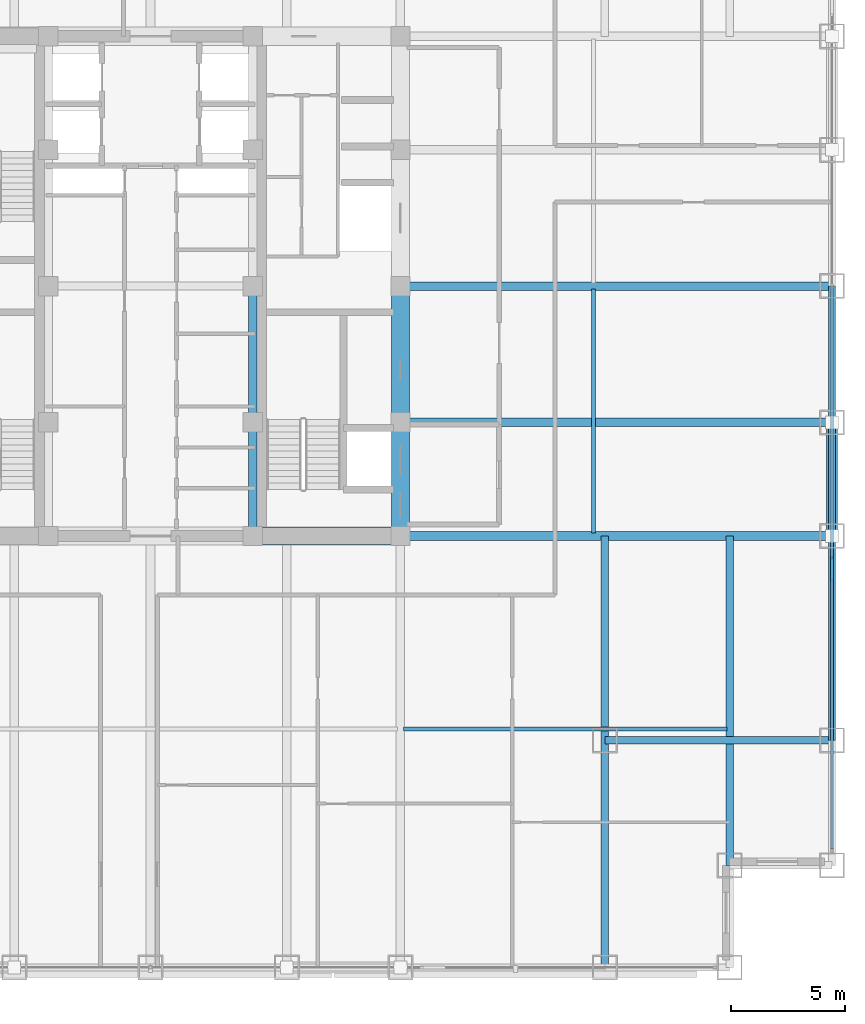
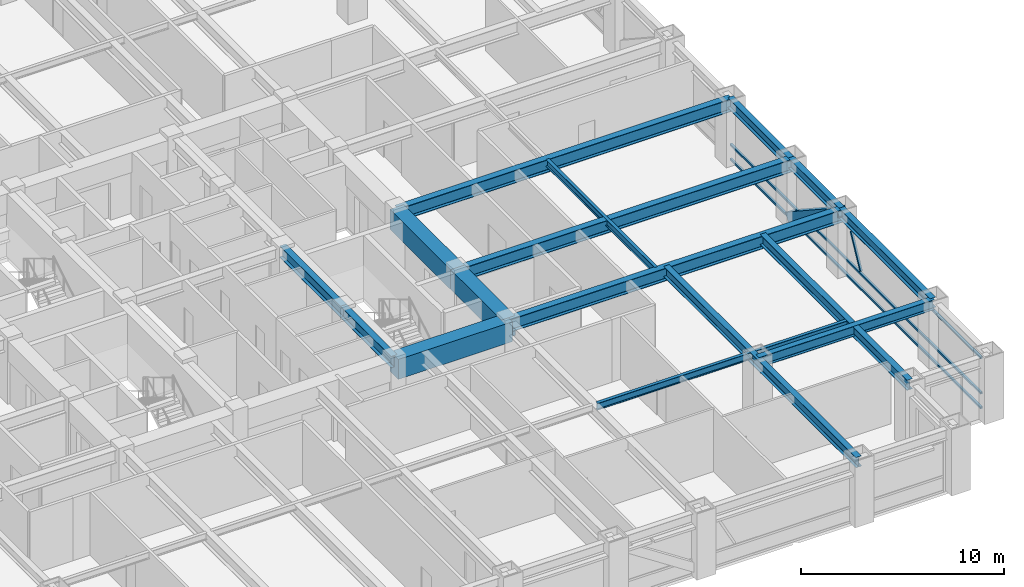
# One storey, part 9 of 28: 16 beams, 5 members, 1 element without a shape of its own.
"""IFC4 building model written with IfcOpenShell, lengths in metres."""

from ifc_helpers import new_model, si_unit, direction, frame, origin, origin_2d, place, context, subcontext, project, spatial, rectangle, hollow_rectangle, i_section, extrude, source, transform, mapped, material, material_profile, profile_set, type_object, element, aggregate, save


model = new_model("IFC4")

# Units and contexts
model_context = context("Model", 3, precision=1e-05, world=origin(), true_north=direction((0.0, 1.0)))
body_context = subcontext(model_context, "Body", "Model", "MODEL_VIEW")
ifc_project = project(units=[si_unit("LENGTHUNIT", "METRE"), si_unit("AREAUNIT", "SQUARE_METRE"), si_unit("VOLUMEUNIT", "CUBIC_METRE"), si_unit("PLANEANGLEUNIT", "RADIAN"), si_unit("MASSUNIT", "GRAM", prefix="KILO")], contexts=[model_context])

# Site, building, storey
site_placement = place(None, origin())
site = spatial("IfcSite", under=ifc_project, at=site_placement, CompositionType="ELEMENT")
building_placement = place(site_placement, origin())
building = spatial("IfcBuilding", under=site, at=building_placement, Name="Khorayat Bourse Tower", CompositionType="ELEMENT")
storey_placement = place(building_placement, frame((0.0, 0.0, 183.10009765625)))
storey = spatial("IfcBuildingStorey", under=building, at=storey_placement, Name="L42", CompositionType="ELEMENT", Elevation=183.10009765625)

# Beams
ifc_material_1 = material(Name="Concrete C72/90", Category="concrete")
ifc_material_profile_1 = material_profile(ifc_material_1, rectangle(XDim=0.800048828125, YDim=1.199951171875, at=origin_2d()), Name="RC 800x1200")
ifc_profile_set_1 = profile_set([ifc_material_profile_1], Name="Concrete C72/90")
beam_type_1 = type_object("IfcBeamType", Name="BM-COUP-1200", PredefinedType="BEAM", material=ifc_profile_set_1)
shared_shape_1 = source(origin(), body_context, "Body", "SweptSolid", [
    extrude(rectangle(XDim=0.800048828125, YDim=1.199951171875, at=origin_2d()), origin(), (0.0, 0.0, 1.0), 5.0),
])
beam_1_placement = place(storey_placement, frame((11.0, -11.0, 3.179931640625), z_axis=(0.0, 1.0, 0.0), x_axis=(-1.0, 0.0, 0.0)))
element("IfcBeam", 1, at=beam_1_placement, inside=storey, type_object=beam_type_1, Name="L42 BM-COUP-1200 BM-L42-CRX-13", PredefinedType="BEAM", context=body_context, shape_type="MappedRepresentation", body=[
    mapped(shared_shape_1, transform((0.0, 0.0, 0.0), scale=1.0)),
])
shared_shape_2 = source(origin(), body_context, "Body", "SweptSolid", [
    extrude(rectangle(XDim=0.800048828125, YDim=1.199951171875, at=origin_2d()), origin(), (0.0, 0.0, 1.0), 6.0),
])
beam_2_placement = place(storey_placement, frame((11.0, -6.0, 3.179931640625), z_axis=(0.0, 1.0, 0.0), x_axis=(-1.0, 0.0, 0.0)))
element("IfcBeam", 2, at=beam_2_placement, inside=storey, type_object=beam_type_1, Name="L42 BM-COUP-1200 BM-L42-CRX-14", PredefinedType="BEAM", context=body_context, shape_type="MappedRepresentation", body=[
    mapped(shared_shape_2, transform((0.0, 0.0, 0.0), scale=1.0)),
])
ifc_material_2 = material(Name="Steel ASTM A992 Grade 50", Category="steel")
ifc_material_profile_2 = material_profile(ifc_material_2, i_section(OverallWidth=0.35498046875, OverallDepth=0.695068359375, WebThickness=0.015380859375, FlangeThickness=0.02490234375, FilletRadius=0.01806640625, at=origin_2d()), Name="W690X217")
ifc_profile_set_2 = profile_set([ifc_material_profile_2], Name="Steel ASTM A992 Grade 50")
beam_type_2 = type_object("IfcBeamType", Name="BM-GIRD-690", PredefinedType="BEAM", material=ifc_profile_set_2)
shared_shape_3 = source(origin(), body_context, "Body", "SweptSolid", [
    extrude(i_section(OverallWidth=0.35498046875, OverallDepth=0.695068359375, WebThickness=0.015380859375, FlangeThickness=0.02490234375, FilletRadius=0.01806640625, at=origin_2d()), origin(), (0.0, 0.0, 1.0), 5.0),
])
beam_3_placement = place(storey_placement, frame((4.5, -11.0, 3.432373046875), z_axis=(0.0, 1.0, 0.0), x_axis=(-1.0, 0.0, 0.0)))
element("IfcBeam", 3, at=beam_3_placement, inside=storey, type_object=beam_type_2, Name="L42 BM-GIRD-690 BM-L42-CRX-09", PredefinedType="BEAM", context=body_context, shape_type="MappedRepresentation", body=[
    mapped(shared_shape_3, transform((0.0, 0.0, 0.0), scale=1.0)),
])
shared_shape_4 = source(origin(), body_context, "Body", "SweptSolid", [
    extrude(i_section(OverallWidth=0.35498046875, OverallDepth=0.695068359375, WebThickness=0.015380859375, FlangeThickness=0.02490234375, FilletRadius=0.01806640625, at=origin_2d()), origin(), (0.0, 0.0, 1.0), 6.0),
])
beam_4_placement = place(storey_placement, frame((4.5, -6.0, 3.432373046875), z_axis=(0.0, 1.0, 0.0), x_axis=(-1.0, 0.0, 0.0)))
element("IfcBeam", 4, at=beam_4_placement, inside=storey, type_object=beam_type_2, Name="L42 BM-GIRD-690 BM-L42-CRX-10", PredefinedType="BEAM", context=body_context, shape_type="MappedRepresentation", body=[
    mapped(shared_shape_4, transform((0.0, 0.0, 0.0), scale=1.0)),
])
shared_shape_5 = source(origin(), body_context, "Body", "SweptSolid", [
    extrude(rectangle(XDim=0.800048828125, YDim=1.199951171875, at=origin_2d()), origin(), (0.0, 0.0, 1.0), 6.5),
])
beam_5_placement = place(storey_placement, frame((4.5, -11.0, 3.179931640625), z_axis=(1.0, 0.0, 0.0), x_axis=(0.0, 1.0, 0.0)))
element("IfcBeam", 5, at=beam_5_placement, inside=storey, type_object=beam_type_1, Name="L42 BM-COUP-1200 BM-L42-CRY-19", PredefinedType="BEAM", context=body_context, shape_type="MappedRepresentation", body=[
    mapped(shared_shape_5, transform((0.0, 0.0, 0.0), scale=1.0)),
])
ifc_material_profile_3 = material_profile(ifc_material_2, i_section(OverallWidth=0.381103515625, OverallDepth=0.77294921875, WebThickness=0.0166015625, FlangeThickness=0.027587890625, FilletRadius=0.01806640625, at=origin_2d()), Name="W760X257")
ifc_profile_set_3 = profile_set([ifc_material_profile_3], Name="Steel ASTM A992 Grade 50")
beam_type_3 = type_object("IfcBeamType", Name="BM-GIRD-760", PredefinedType="BEAM", material=ifc_profile_set_3)
shared_shape_6 = source(origin(), body_context, "Body", "SweptSolid", [
    extrude(i_section(OverallWidth=0.381103515625, OverallDepth=0.77294921875, WebThickness=0.0166015625, FlangeThickness=0.027587890625, FilletRadius=0.01806640625, at=origin_2d()), origin(), (0.0, 0.0, 1.0), 19.0),
])
for number, where, z_axis, x_axis, name in (
    (6, (11.0, -11.0, 3.393310546875), (1.0, 0.0, 0.0), (0.0, 1.0, 0.0), "L42 BM-GIRD-760 BM-L42-RADX-074"),
    (7, (11.0, -6.0, 3.393310546875), (1.0, 0.0, 0.0), (0.0, 1.0, 0.0), "L42 BM-GIRD-760 BM-L42-RADX-076"),
    (8, (11.0, 0.0, 3.393310546875), (1.0, 0.0, 0.0), (0.0, 1.0, 0.0), "L42 BM-GIRD-760 BM-L42-RADX-078"),
):
    element("IfcBeam", number, at=place(storey_placement, frame(where, z_axis=z_axis, x_axis=x_axis)), inside=storey, type_object=beam_type_3, Name=name, PredefinedType="BEAM", context=body_context, shape_type="MappedRepresentation", body=[
        mapped(shared_shape_6, transform((0.0, 0.0, 0.0), scale=1.0)),
    ])
ifc_material_profile_4 = material_profile(ifc_material_2, i_section(OverallWidth=0.324951171875, OverallDepth=0.615966796875, WebThickness=0.013916015625, FlangeThickness=0.021484375, FilletRadius=0.01611328125, at=origin_2d()), Name="W610X174")
ifc_profile_set_4 = profile_set([ifc_material_profile_4], Name="Steel ASTM A992 Grade 50")
beam_type_4 = type_object("IfcBeamType", Name="BM-GIRD-610", PredefinedType="BEAM", material=ifc_profile_set_4)
shared_shape_7 = source(origin(), body_context, "Body", "SweptSolid", [
    extrude(i_section(OverallWidth=0.324951171875, OverallDepth=0.615966796875, WebThickness=0.013916015625, FlangeThickness=0.021484375, FilletRadius=0.01611328125, at=origin_2d()), origin(), (0.0, 0.0, 1.0), 19.0),
])
beam_6_placement = place(storey_placement, frame((20.0, -30.0, 3.471923828125), z_axis=(0.0, 1.0, 0.0), x_axis=(-1.0, 0.0, 0.0)))
element("IfcBeam", 9, at=beam_6_placement, inside=storey, type_object=beam_type_4, Name="L42 BM-GIRD-610 BM-L42-CNRY-086", PredefinedType="BEAM", context=body_context, shape_type="MappedRepresentation", body=[
    mapped(shared_shape_7, transform((0.0, 0.0, 0.0), scale=1.0)),
])
shared_shape_8 = source(origin(), body_context, "Body", "SweptSolid", [
    extrude(i_section(OverallWidth=0.324951171875, OverallDepth=0.615966796875, WebThickness=0.013916015625, FlangeThickness=0.021484375, FilletRadius=0.01611328125, at=origin_2d()), origin(), (0.0, 0.0, 1.0), 14.5),
])
beam_7_placement = place(storey_placement, frame((25.5, -25.5, 3.471923828125), z_axis=(0.0, 1.0, 0.0), x_axis=(-1.0, 0.0, 0.0)))
element("IfcBeam", 10, at=beam_7_placement, inside=storey, type_object=beam_type_4, Name="L42 BM-GIRD-610 BM-L42-CNRY-090", PredefinedType="BEAM", context=body_context, shape_type="MappedRepresentation", body=[
    mapped(shared_shape_8, transform((0.0, 0.0, 0.0), scale=1.0)),
])
shared_shape_9 = source(origin(), body_context, "Body", "SweptSolid", [
    extrude(i_section(OverallWidth=0.324951171875, OverallDepth=0.615966796875, WebThickness=0.013916015625, FlangeThickness=0.021484375, FilletRadius=0.01611328125, at=origin_2d()), origin(), (0.0, 0.0, 1.0), 10.0),
])
beam_8_placement = place(storey_placement, frame((20.0, -20.0, 3.471923828125), z_axis=(1.0, 0.0, 0.0), x_axis=(0.0, 1.0, 0.0)))
element("IfcBeam", 11, at=beam_8_placement, inside=storey, type_object=beam_type_4, Name="L42 BM-GIRD-610 BM-L42-CNRX-092", PredefinedType="BEAM", context=body_context, shape_type="MappedRepresentation", body=[
    mapped(shared_shape_9, transform((0.0, 0.0, 0.0), scale=1.0)),
])
ifc_material_profile_5 = material_profile(ifc_material_2, i_section(OverallWidth=0.180908203125, OverallDepth=0.4169921875, WebThickness=0.010986328125, FlangeThickness=0.018310546875, FilletRadius=0.011962890625, at=origin_2d()), Name="W410X85")
ifc_profile_set_5 = profile_set([ifc_material_profile_5], Name="Steel ASTM A992 Grade 50")
beam_type_5 = type_object("IfcBeamType", Name="BM-JOIST-410", PredefinedType="JOIST", material=ifc_profile_set_5)
shared_shape_10 = source(origin(), body_context, "Body", "SweptSolid", [
    extrude(i_section(OverallWidth=0.180908203125, OverallDepth=0.4169921875, WebThickness=0.010986328125, FlangeThickness=0.018310546875, FilletRadius=0.011962890625, at=origin_2d()), origin(), (0.0, 0.0, 1.0), 14.240234375),
])
beam_9_placement = place(storey_placement, frame((11.1298828125, -19.5, 3.5712890625), z_axis=(1.0, 0.0, 0.0), x_axis=(0.0, 1.0, 0.0)))
element("IfcBeam", 12, at=beam_9_placement, inside=storey, type_object=beam_type_5, Name="L42 BM-JOIST-410 BM-L42-JSTX-098", PredefinedType="JOIST", context=body_context, shape_type="MappedRepresentation", body=[
    mapped(shared_shape_10, transform((0.0, 0.0, 0.0), scale=1.0)),
])
shared_shape_11 = source(origin(), body_context, "Body", "SweptSolid", [
    extrude(i_section(OverallWidth=0.180908203125, OverallDepth=0.4169921875, WebThickness=0.010986328125, FlangeThickness=0.018310546875, FilletRadius=0.011962890625, at=origin_2d()), origin(), (0.0, 0.0, 1.0), 10.740234375),
])
beam_10_placement = place(storey_placement, frame((19.5, -10.8701171875, 3.5712890625), z_axis=(0.0, 1.0, 0.0), x_axis=(-1.0, 0.0, 0.0)))
element("IfcBeam", 13, at=beam_10_placement, inside=storey, type_object=beam_type_5, Name="L42 BM-JOIST-410 BM-L42-JSTY-104", PredefinedType="JOIST", context=body_context, shape_type="MappedRepresentation", body=[
    mapped(shared_shape_11, transform((0.0, 0.0, 0.0), scale=1.0)),
])
ifc_material_profile_6 = material_profile(ifc_material_2, i_section(OverallWidth=0.324951171875, OverallDepth=0.615966796875, WebThickness=0.013916015625, FlangeThickness=0.021484375, FilletRadius=0.01611328125, at=origin_2d()), Name="W610X174")
ifc_profile_set_6 = profile_set([ifc_material_profile_6], Name="Steel ASTM A992 Grade 50")
beam_type_6 = type_object("IfcBeamType", Name="BM-SPAN-610", PredefinedType="SPANDREL", material=ifc_profile_set_6)
shared_shape_12 = source(origin(), body_context, "Body", "SweptSolid", [
    extrude(i_section(OverallWidth=0.324951171875, OverallDepth=0.615966796875, WebThickness=0.013916015625, FlangeThickness=0.021484375, FilletRadius=0.01611328125, at=origin_2d()), origin(), (0.0, 0.0, 1.0), 9.0),
])
beam_11_placement = place(storey_placement, frame((30.0, -20.0, 3.471923828125), z_axis=(0.0, 1.0, 0.0), x_axis=(-1.0, 0.0, 0.0)))
element("IfcBeam", 14, at=beam_11_placement, inside=storey, type_object=beam_type_6, Name="L42 BM-SPAN-610 BM-L42-SPN-035", PredefinedType="SPANDREL", context=body_context, shape_type="MappedRepresentation", body=[
    mapped(shared_shape_12, transform((0.0, 0.0, 0.0), scale=1.0)),
])
shared_shape_13 = source(origin(), body_context, "Body", "SweptSolid", [
    extrude(i_section(OverallWidth=0.324951171875, OverallDepth=0.615966796875, WebThickness=0.013916015625, FlangeThickness=0.021484375, FilletRadius=0.01611328125, at=origin_2d()), origin(), (0.0, 0.0, 1.0), 5.0),
])
beam_12_placement = place(storey_placement, frame((30.0, -11.0, 3.471923828125), z_axis=(0.0, 1.0, 0.0), x_axis=(-1.0, 0.0, 0.0)))
element("IfcBeam", 15, at=beam_12_placement, inside=storey, type_object=beam_type_6, Name="L42 BM-SPAN-610 BM-L42-SPN-036", PredefinedType="SPANDREL", context=body_context, shape_type="MappedRepresentation", body=[
    mapped(shared_shape_13, transform((0.0, 0.0, 0.0), scale=1.0)),
])
shared_shape_14 = source(origin(), body_context, "Body", "SweptSolid", [
    extrude(i_section(OverallWidth=0.324951171875, OverallDepth=0.615966796875, WebThickness=0.013916015625, FlangeThickness=0.021484375, FilletRadius=0.01611328125, at=origin_2d()), origin(), (0.0, 0.0, 1.0), 6.0),
])
beam_13_placement = place(storey_placement, frame((30.0, -6.0, 3.471923828125), z_axis=(0.0, 1.0, 0.0), x_axis=(-1.0, 0.0, 0.0)))
element("IfcBeam", 16, at=beam_13_placement, inside=storey, type_object=beam_type_6, Name="L42 BM-SPAN-610 BM-L42-SPN-037", PredefinedType="SPANDREL", context=body_context, shape_type="MappedRepresentation", body=[
    mapped(shared_shape_14, transform((0.0, 0.0, 0.0), scale=1.0)),
])

# Member
ifc_material_3 = material(Name="Steel EN 10025-4 S460M", Category="steel")
ifc_material_profile_7 = material_profile(ifc_material_3, hollow_rectangle(XDim=0.5, YDim=0.5, WallThickness=0.028076171875, at=origin_2d()), Name="HSS 500x500x28")
ifc_profile_set_7 = profile_set([ifc_material_profile_7], Name="Steel EN 10025-4 S460M")
member_type_1 = type_object("IfcMemberType", Name="MBR-TUBE-500", PredefinedType="BRACE", material=ifc_profile_set_7)
shared_shape_15 = source(origin(), body_context, "Body", "SweptSolid", [
    extrude(hollow_rectangle(XDim=0.5, YDim=0.5, WallThickness=0.028076171875, at=origin_2d()), origin(), (0.0, 0.0, 1.0), 5.979736328125),
])
member_1_placement = place(storey_placement, frame((30.0, -11.0, 3.52978515625), z_axis=(0.0, 0.836160261256, -0.548485202623), x_axis=(-1.0, 0.0, 0.0)))
element("IfcMember", 17, at=member_1_placement, inside=storey, type_object=member_type_1, Name="L42 Perimeter Tube Brace 07", PredefinedType="BRACE", context=body_context, shape_type="MappedRepresentation", body=[
    mapped(shared_shape_15, transform((0.0, 0.0, 0.0), scale=1.0)),
])

# Curtain wall, members
ifc_material_4 = material(Name="Aluminium EN AW-6063 T6", Category="aluminium")
curtain_wall_type = type_object("IfcCurtainWallType", Name="CW-SYS-03", PredefinedType="NOTDEFINED", material=ifc_material_4)
curtain_wall_placement = place(storey_placement, origin())
curtain_wall = element("IfcCurtainWall", 18, at=curtain_wall_placement, inside=storey, type_object=curtain_wall_type, Name="L42 Curtain Wall CW-L42-E1", PredefinedType="NOTDEFINED")
ifc_material_profile_8 = material_profile(ifc_material_4, hollow_rectangle(XDim=0.1201171875, YDim=0.1201171875, WallThickness=0.0048828125, at=origin_2d()), Name="ALU 120x120x5")
ifc_profile_set_8 = profile_set([ifc_material_profile_8], Name="Aluminium EN AW-6063 T6")
member_type_2 = type_object("IfcMemberType", Name="CWM-DIAG-120", PredefinedType="MULLION", material=ifc_profile_set_8)
shared_shape_16 = source(origin(), body_context, "Body", "SweptSolid", [
    extrude(hollow_rectangle(XDim=0.1201171875, YDim=0.1201171875, WallThickness=0.0048828125, at=origin_2d()), origin(), (0.0, 0.0, 1.0), 2.079345703125),
])
member_2_placement = place(storey_placement, frame((30.0, -12.904296875, 1.08984375), z_axis=(0.0, 0.465760949701, 0.884910581773), x_axis=(-1.0, 0.0, 0.0)))
member_2 = element("IfcMember", 19, at=member_2_placement, type_object=member_type_2, Name="CW-L42-E1 Faceted Diagonal Mullion 1", PredefinedType="MULLION", context=body_context, shape_type="MappedRepresentation", body=[
    mapped(shared_shape_16, transform((0.0, 0.0, 0.0), scale=1.0)),
])
ifc_material_profile_9 = material_profile(ifc_material_4, hollow_rectangle(XDim=0.1201171875, YDim=0.1201171875, WallThickness=0.0048828125, at=origin_2d()), Name="ALU 120x120x5")
ifc_profile_set_9 = profile_set([ifc_material_profile_9], Name="Aluminium EN AW-6063 T6")
member_type_3 = type_object("IfcMemberType", Name="CWT-HORZ-120", PredefinedType="USERDEFINED", material=ifc_profile_set_9)
shared_shape_17 = source(origin(), body_context, "Body", "SweptSolid", [
    extrude(hollow_rectangle(XDim=0.1201171875, YDim=0.1201171875, WallThickness=0.0048828125, at=origin_2d()), origin(), (0.0, 0.0, 1.0), 24.719970703125),
])
member_3_placement = place(storey_placement, frame((30.0, -24.780029296875, 0.059814453125), z_axis=(0.0, 1.0, 0.0), x_axis=(-1.0, 0.0, 0.0)))
member_3 = element("IfcMember", 20, at=member_3_placement, type_object=member_type_3, Name="CW-L42-E1 Horizontal Transom 1-1", ObjectType="TRANSOM", PredefinedType="USERDEFINED", context=body_context, shape_type="MappedRepresentation", body=[
    mapped(shared_shape_17, transform((0.0, 0.0, 0.0), scale=1.0)),
])
member_4_placement = place(storey_placement, frame((30.0, -24.780029296875, 0.949951171875), z_axis=(0.0, 1.0, 0.0), x_axis=(-1.0, 0.0, 0.0)))
member_4 = element("IfcMember", 21, at=member_4_placement, type_object=member_type_3, Name="CW-L42-E1 Horizontal Transom 1-2", ObjectType="TRANSOM", PredefinedType="USERDEFINED", context=body_context, shape_type="MappedRepresentation", body=[
    mapped(shared_shape_17, transform((0.0, 0.0, 0.0), scale=1.0)),
])
member_5_placement = place(storey_placement, frame((30.0, -24.780029296875, 3.06982421875), z_axis=(0.0, 1.0, 0.0), x_axis=(-1.0, 0.0, 0.0)))
member_5 = element("IfcMember", 22, at=member_5_placement, type_object=member_type_3, Name="CW-L42-E1 Horizontal Transom 1-3", ObjectType="TRANSOM", PredefinedType="USERDEFINED", context=body_context, shape_type="MappedRepresentation", body=[
    mapped(shared_shape_17, transform((0.0, 0.0, 0.0), scale=1.0)),
])
aggregate(curtain_wall, [member_3, member_4, member_5, member_2])

save(model, "model.ifc")
